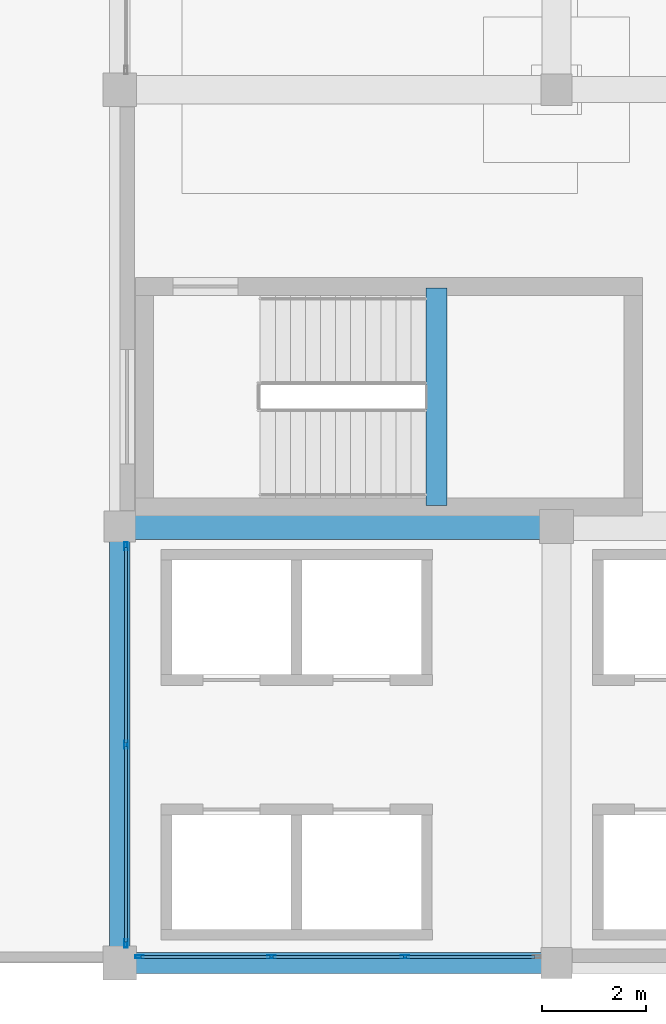
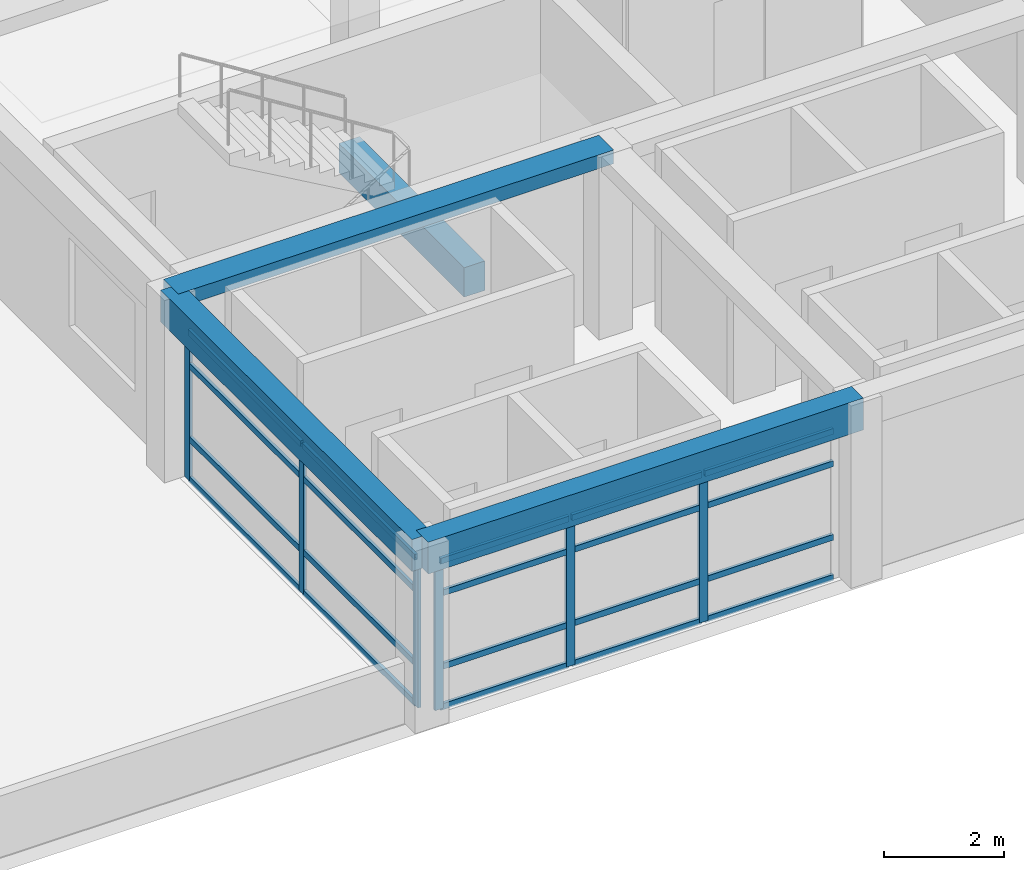
# One storey, part 2 of 26: 26 members, 4 beams, 2 elements without a shape of their own.
"""IFC4 building model written with IfcOpenShell, lengths in metres."""

import ifcopenshell
import ifcopenshell.guid

model = None  # the IFC model being written
_history = None  # IfcOwnerHistory: only IFC2X3 demands one
_inside = {}  # id of a spatial element -> (the spatial element, [elements in it])
_under = {}  # id of a project, library or spatial element -> (it, [spatial elements below it])
_declared = {}  # id of a project -> (the project, [libraries it declares])
_typed = {}  # id of a type object -> (the type object, [elements of that type])
_made_of = {}  # id of a material, layer set ... -> (it, [elements and type objects made of it])


def new_model(schema):
    """Start an empty IFC model of exactly this schema.

    Asked for "IFC4X3", IfcOpenShell would pick the latest addendum, in which some entities
    have other attributes; the version numbers below select the first issue.
    IFC2X3 requires an IfcOwnerHistory on every rooted entity: one is made here for all.
    """
    global model, _history
    if schema == "IFC4X3":
        model = ifcopenshell.file(schema_version=(4, 3, 0, 0))
    else:
        model = ifcopenshell.file(schema=schema)
    _inside.clear()
    _under.clear()
    _declared.clear()
    _typed.clear()
    _made_of.clear()
    _history = None
    if model.schema == "IFC2X3":
        org = make("IfcOrganization", Name="unknown")
        user = make(
            "IfcPersonAndOrganization",
            ThePerson=make("IfcPerson", FamilyName="unknown"),
            TheOrganization=org,
        )
        app = make(
            "IfcApplication",
            ApplicationDeveloper=org,
            Version="unknown",
            ApplicationFullName="unknown",
            ApplicationIdentifier="unknown",
        )
        _history = make(
            "IfcOwnerHistory",
            OwningUser=user,
            OwningApplication=app,
            ChangeAction="ADDED",
            CreationDate=0,
        )
    return model


def make(cls, **values):
    """One entity of the class cls with the attributes given. An attribute that is None is left unset."""
    return model.create_entity(
        cls, **{name: value for name, value in values.items() if value is not None}
    )


def rooted(cls, **values):
    """An entity with a GlobalId (a new one), such as an element, a storey or a relation."""
    return make(cls, GlobalId=ifcopenshell.guid.new(), OwnerHistory=_history, **values)


def si_unit(unit_type, name, prefix=None):
    """IfcSIUnit, for example si_unit("LENGTHUNIT", "METRE", prefix="MILLI")."""
    return make("IfcSIUnit", UnitType=unit_type, Prefix=prefix, Name=name)


def assignment(units):
    """IfcUnitAssignment: the units of a project."""
    return None if units is None else make("IfcUnitAssignment", Units=units)


def point(xyz):
    """IfcCartesianPoint."""
    return None if xyz is None else make("IfcCartesianPoint", Coordinates=xyz)


def direction(xyz):
    """IfcDirection."""
    return None if xyz is None else make("IfcDirection", DirectionRatios=xyz)


def frame(location, z_axis=None, x_axis=None):
    """IfcAxis2Placement3D, a coordinate frame: its origin and axes. An axis left out is left unset."""
    return make(
        "IfcAxis2Placement3D",
        Location=point(location),
        Axis=direction(z_axis),
        RefDirection=direction(x_axis),
    )


def frame_2d(location, x_axis=None):
    """IfcAxis2Placement2D, a coordinate frame in the plane: its origin and x axis."""
    return make(
        "IfcAxis2Placement2D", Location=point(location), RefDirection=direction(x_axis)
    )


def origin():
    """The frame at (0, 0, 0) with its axes left unset."""
    return frame((0.0, 0.0, 0.0))


def origin_2d():
    """The frame at (0, 0) in the plane with its x axis left unset."""
    return frame_2d((0.0, 0.0))


def place(relative_to, where):
    """IfcLocalPlacement: puts the frame where relative to a parent placement (None: the world)."""
    return make(
        "IfcLocalPlacement", PlacementRelTo=relative_to, RelativePlacement=where
    )


def context(
    kind, dimensions, precision=None, world=None, true_north=None, identifier=None
):
    """IfcGeometricRepresentationContext, for example the 3D "Model" context."""
    return make(
        "IfcGeometricRepresentationContext",
        ContextIdentifier=identifier,
        ContextType=kind,
        CoordinateSpaceDimension=dimensions,
        Precision=precision,
        WorldCoordinateSystem=world,
        TrueNorth=true_north,
    )


def subcontext(parent, identifier, kind, view, scale=None):
    """IfcGeometricRepresentationSubContext, for example "Body" below "Model"."""
    return make(
        "IfcGeometricRepresentationSubContext",
        ContextIdentifier=identifier,
        ContextType=kind,
        ParentContext=parent,
        TargetScale=scale,
        TargetView=view,
    )


def project(units=None, contexts=None):
    """IfcProject with its units and contexts."""
    return rooted(
        "IfcProject",
        Name="project",
        RepresentationContexts=contexts,
        UnitsInContext=assignment(units),
    )


def spatial(cls, under=None, at=None, **own):
    """A site, building, storey or space (cls), placed at a placement, below another one or the project."""
    s = rooted(cls, ObjectPlacement=at, **own)
    if under is not None:
        _under.setdefault(under.id(), (under, []))[1].append(s)
    return s


def profile(cls, at=None, kind="AREA", **sizes):
    """A parametric profile (cls). Its sizes go by their IFC names, for example OverallWidth=200.0."""
    return make(cls, ProfileType=kind, Position=at, **sizes)


def rectangle(**sizes):
    """IfcRectangleProfileDef."""
    return profile("IfcRectangleProfileDef", **sizes)


def hollow_rectangle(**sizes):
    """IfcRectangleHollowProfileDef."""
    return profile("IfcRectangleHollowProfileDef", **sizes)


def extrude(swept, where, along, depth):
    """IfcExtrudedAreaSolid: the profile swept, set in the frame where, extruded along a direction by depth."""
    return make(
        "IfcExtrudedAreaSolid",
        SweptArea=swept,
        Position=where,
        ExtrudedDirection=direction(along),
        Depth=depth,
    )


def shape(context_of_items, identifier, shape_type, items):
    """IfcShapeRepresentation: the items that make up one representation, for example the "Body"."""
    return make(
        "IfcShapeRepresentation",
        ContextOfItems=context_of_items,
        RepresentationIdentifier=identifier,
        RepresentationType=shape_type,
        Items=items,
    )


def material(Name=None, Category=None):
    """IfcMaterial."""
    return make("IfcMaterial", Name=Name, Category=Category)


def material_profile(
    of_material, cross_section, Name=None, Category=None, Priority=None
):
    """IfcMaterialProfile: a cross section and its material."""
    return make(
        "IfcMaterialProfile",
        Name=Name,
        Material=of_material,
        Profile=cross_section,
        Priority=Priority,
        Category=Category,
    )


def profile_set(profiles, Name=None, composite=None):
    """IfcMaterialProfileSet."""
    return make(
        "IfcMaterialProfileSet",
        Name=Name,
        MaterialProfiles=profiles,
        CompositeProfile=composite,
    )


def made_of(thing, what):
    """Note that an element or type object is made of a material, layer set ...; save() writes the relation."""
    if what is not None:
        _made_of.setdefault(what.id(), (what, []))[1].append(thing)
    return thing


def type_object(cls, material=None, **own):
    """A type object (cls), such as IfcWallType, which elements share."""
    return made_of(rooted(cls, **own), material)


def element(
    cls,
    number,
    at=None,
    inside=None,
    cuts=None,
    type_object=None,
    material=None,
    context=None,
    identifier="Body",
    shape_type=None,
    held_by="IfcProductDefinitionShape",
    body=None,
    shapes=None,
    **own,
):
    """One element of the class cls, such as IfcWall. Its Tag is "e" and its number.

    at: its placement. inside: the storey or other place that contains it. cuts: it is an
    opening in that element (IfcRelVoidsElement). A single representation is given by context,
    identifier, shape_type and body (its items); several are given by shapes. held_by: the class
    of the entity that holds the representations. save() writes the other relations.
    """
    e = rooted(cls, Tag="e%d" % number, ObjectPlacement=at, **own)
    if body is not None:
        shapes = [shape(context, identifier, shape_type, body)]
    if shapes is not None:
        e.Representation = make(held_by, Representations=shapes)
    if inside is not None:
        _inside.setdefault(inside.id(), (inside, []))[1].append(e)
    if cuts is not None:
        rooted(
            "IfcRelVoidsElement", RelatingBuildingElement=cuts, RelatedOpeningElement=e
        )
    if type_object is not None:
        _typed.setdefault(type_object.id(), (type_object, []))[1].append(e)
    return made_of(e, material)


def aggregate(whole, parts):
    """IfcRelAggregates: a whole, such as a stair, and the parts it consists of."""
    return rooted("IfcRelAggregates", RelatingObject=whole, RelatedObjects=parts)


def save(model, path):
    """Write the relations noted so far, then the file.

    IfcRelAggregates (storeys below a building ...), IfcRelContainedInSpatialStructure (elements
    in a storey), IfcRelDefinesByType, IfcRelAssociatesMaterial and IfcRelDeclares: one each for
    every whole, place, type object, material and project.
    """
    for whole, parts in _under.values():
        aggregate(whole, parts)
    for where, things in _inside.values():
        rooted(
            "IfcRelContainedInSpatialStructure",
            RelatedElements=things,
            RelatingStructure=where,
        )
    for kind, things in _typed.values():
        rooted("IfcRelDefinesByType", RelatedObjects=things, RelatingType=kind)
    for what, things in _made_of.values():
        rooted("IfcRelAssociatesMaterial", RelatedObjects=things, RelatingMaterial=what)
    for by, libraries in _declared.values():
        rooted("IfcRelDeclares", RelatingContext=by, RelatedDefinitions=libraries)
    model.write(path)


model = new_model("IFC4")

# Units and contexts
model_context = context("Model", 3, precision=1e-05, world=origin(), true_north=direction((0.0, 1.0)))
body_context = subcontext(model_context, "Body", "Model", "MODEL_VIEW")
ifc_project = project(units=[si_unit("LENGTHUNIT", "METRE"), si_unit("AREAUNIT", "SQUARE_METRE"), si_unit("VOLUMEUNIT", "CUBIC_METRE"), si_unit("PLANEANGLEUNIT", "RADIAN"), si_unit("MASSUNIT", "GRAM", prefix="KILO")], contexts=[model_context])

# Site, building, storey
site_placement = place(None, origin())
site = spatial("IfcSite", under=ifc_project, at=site_placement, CompositionType="ELEMENT")
building_placement = place(site_placement, origin())
building = spatial("IfcBuilding", under=site, at=building_placement, Name="Almacenes y Pasaje Nevantli", CompositionType="ELEMENT")
storey_placement = place(building_placement, frame((0.0, 0.0, 42.699951171875)))
storey = spatial("IfcBuildingStorey", under=building, at=storey_placement, Name="L10", CompositionType="ELEMENT", Elevation=42.699951171875)

# Beams
ifc_material_1 = material(Name="Concrete C35/45", Category="concrete")
ifc_material_profile_1 = material_profile(ifc_material_1, rectangle(XDim=0.39990234375, YDim=0.60009765625, at=origin_2d()), Name="RC-BM-400x600")
ifc_profile_set_1 = profile_set([ifc_material_profile_1], Name="Concrete C35/45")
beam_type_1 = type_object("IfcBeamType", Name="BM-RC-400x600", PredefinedType="SPANDREL", material=ifc_profile_set_1)
beam_1_placement = place(storey_placement, frame((123.68994140625, 76.0, 1.5), z_axis=(0.0, 1.0, 0.0), x_axis=(-1.0, 0.0, 0.0)))
element("IfcBeam", 1, at=beam_1_placement, inside=storey, type_object=beam_type_1, Name="L10 Stair ST-01 Half-Landing Support Beam", PredefinedType="SPANDREL", context=body_context, shape_type="SweptSolid", body=[
    extrude(rectangle(XDim=0.39990234375, YDim=0.60009765625, at=origin_2d()), origin(), (0.0, 0.0, 1.0), 4.18994140625),
])
ifc_material_2 = material(Name="Concrete C35/45", Category="concrete")
ifc_material_profile_2 = material_profile(ifc_material_2, rectangle(XDim=0.39990234375, YDim=0.64990234375, at=origin_2d()), Name="RC-BM-400x650")
ifc_profile_set_2 = profile_set([ifc_material_profile_2], Name="Concrete C35/45")
beam_type_2 = type_object("IfcBeamType", Name="BM-RC-400x650", PredefinedType="SPANDREL", material=ifc_profile_set_2)
beam_2_placement = place(storey_placement, frame((117.60009765625, 67.199951171875, 3.39501953125), z_axis=(1.0, 0.0, 0.0), x_axis=(0.0, 1.0, 0.0)))
element("IfcBeam", 2, at=beam_2_placement, inside=storey, type_object=beam_type_2, Name="L10 East-West Reinforced Concrete Beam #3797", PredefinedType="SPANDREL", context=body_context, shape_type="SweptSolid", body=[
    extrude(rectangle(XDim=0.39990234375, YDim=0.64990234375, at=origin_2d()), origin(), (0.0, 0.0, 1.0), 8.39990234375),
])
beam_3_placement = place(storey_placement, frame((117.60009765625, 67.199951171875, 3.39501953125), z_axis=(0.0, 1.0, 0.0), x_axis=(-1.0, 0.0, 0.0)))
element("IfcBeam", 3, at=beam_3_placement, inside=storey, type_object=beam_type_2, Name="L10 North-South Reinforced Concrete Beam #3822", PredefinedType="SPANDREL", context=body_context, shape_type="SweptSolid", body=[
    extrude(rectangle(XDim=0.39990234375, YDim=0.64990234375, at=origin_2d()), origin(), (0.0, 0.0, 1.0), 8.400146484375),
])
ifc_material_3 = material(Name="Concrete C35/45", Category="concrete")
ifc_material_profile_3 = material_profile(ifc_material_3, rectangle(XDim=0.5, YDim=0.280029296875, at=origin_2d()), Name="RC-BM-500x280")
ifc_profile_set_3 = profile_set([ifc_material_profile_3], Name="Concrete C35/45")
beam_type_3 = type_object("IfcBeamType", Name="BM-RC-500x280", PredefinedType="BEAM", material=ifc_profile_set_3)
beam_4_placement = place(storey_placement, frame((117.60009765625, 75.60009765625, 3.580078125), z_axis=(1.0, 0.0, 0.0), x_axis=(0.0, 1.0, 0.0)))
element("IfcBeam", 4, at=beam_4_placement, inside=storey, type_object=beam_type_3, Name="L10 East-West Reinforced Concrete Beam #3802", PredefinedType="BEAM", context=body_context, shape_type="SweptSolid", body=[
    extrude(rectangle(XDim=0.5, YDim=0.280029296875, at=origin_2d()), origin(), (0.0, 0.0, 1.0), 8.39990234375),
])

# Curtain wall, members
ifc_material_4 = material(Name="Thermally Broken Aluminium and Low-E Glass", Category="aluminium")
curtain_wall_type = type_object("IfcCurtainWallType", Name="CW-UNIT-TOWER", PredefinedType="USERDEFINED", material=ifc_material_4)
curtain_wall_1_placement = place(storey_placement, origin())
curtain_wall_1 = element("IfcCurtainWall", 5, at=curtain_wall_1_placement, inside=storey, type_object=curtain_wall_type, Name="L10 Tower South Unitized Curtain Wall Bay 15", ObjectType="UNITIZED CURTAIN WALL", PredefinedType="USERDEFINED")
ifc_material_5 = material(Name="Thermally Broken Anodized Aluminium", Category="aluminium")
ifc_material_profile_4 = material_profile(ifc_material_5, hollow_rectangle(XDim=0.06005859375, YDim=0.159912109375, WallThickness=0.00390625, at=origin_2d()), Name="ALU-MUL-60x160")
ifc_profile_set_4 = profile_set([ifc_material_profile_4], Name="Thermally Broken Anodized Aluminium")
member_type_1 = type_object("IfcMemberType", Name="CW-MUL-180", PredefinedType="MULLION", material=ifc_profile_set_4)
member_1_placement = place(storey_placement, frame((117.97998046875, 67.320068359375, 0.0), z_axis=(0.0, 0.0, 1.0), x_axis=(0.0, 1.0, 0.0)))
member_1 = element("IfcMember", 6, at=member_1_placement, type_object=member_type_1, Name="CW-L10-141 mullion 1", PredefinedType="MULLION", context=body_context, shape_type="SweptSolid", body=[
    extrude(hollow_rectangle(XDim=0.06005859375, YDim=0.159912109375, WallThickness=0.00390625, at=origin_2d()), origin(), (0.0, 0.0, 1.0), 3.0400390625),
])
member_2_placement = place(storey_placement, frame((120.5166015625, 67.320068359375, 0.0), z_axis=(0.0, 0.0, 1.0), x_axis=(0.0, 1.0, 0.0)))
member_2 = element("IfcMember", 7, at=member_2_placement, type_object=member_type_1, Name="CW-L10-141 mullion 2", PredefinedType="MULLION", context=body_context, shape_type="SweptSolid", body=[
    extrude(hollow_rectangle(XDim=0.06005859375, YDim=0.159912109375, WallThickness=0.00390625, at=origin_2d()), origin(), (0.0, 0.0, 1.0), 3.0400390625),
])
member_3_placement = place(storey_placement, frame((123.083251953125, 67.320068359375, 0.0), z_axis=(0.0, 0.0, 1.0), x_axis=(0.0, 1.0, 0.0)))
member_3 = element("IfcMember", 8, at=member_3_placement, type_object=member_type_1, Name="CW-L10-141 mullion 3", PredefinedType="MULLION", context=body_context, shape_type="SweptSolid", body=[
    extrude(hollow_rectangle(XDim=0.06005859375, YDim=0.159912109375, WallThickness=0.00390625, at=origin_2d()), origin(), (0.0, 0.0, 1.0), 3.0400390625),
])

curtain_wall_2_placement = place(storey_placement, origin())
curtain_wall_2 = element("IfcCurtainWall", 9, at=curtain_wall_2_placement, inside=storey, type_object=curtain_wall_type, Name="L10 Tower West Curtain Wall Bay 9", ObjectType="UNITIZED CURTAIN WALL", PredefinedType="USERDEFINED")
member_4_placement = place(storey_placement, frame((117.719970703125, 67.580078125, 0.0), z_axis=(0.0, 0.0, 1.0), x_axis=(-1.0, 0.0, 0.0)))
member_4 = element("IfcMember", 10, at=member_4_placement, type_object=member_type_1, Name="CW-L10-146 mullion 1", PredefinedType="MULLION", context=body_context, shape_type="SweptSolid", body=[
    extrude(hollow_rectangle(XDim=0.06005859375, YDim=0.159912109375, WallThickness=0.00390625, at=origin_2d()), origin(), (0.0, 0.0, 1.0), 3.0400390625),
])
member_5_placement = place(storey_placement, frame((117.719970703125, 71.39990234375, 0.0), z_axis=(0.0, 0.0, 1.0), x_axis=(-1.0, 0.0, 0.0)))
member_5 = element("IfcMember", 11, at=member_5_placement, type_object=member_type_1, Name="CW-L10-146 mullion 2", PredefinedType="MULLION", context=body_context, shape_type="SweptSolid", body=[
    extrude(hollow_rectangle(XDim=0.06005859375, YDim=0.159912109375, WallThickness=0.00390625, at=origin_2d()), origin(), (0.0, 0.0, 1.0), 3.0400390625),
])
member_6_placement = place(storey_placement, frame((117.719970703125, 75.219970703125, 0.0), z_axis=(0.0, 0.0, 1.0), x_axis=(-1.0, 0.0, 0.0)))
member_6 = element("IfcMember", 12, at=member_6_placement, type_object=member_type_1, Name="CW-L10-146 mullion 3", PredefinedType="MULLION", context=body_context, shape_type="SweptSolid", body=[
    extrude(hollow_rectangle(XDim=0.06005859375, YDim=0.159912109375, WallThickness=0.00390625, at=origin_2d()), origin(), (0.0, 0.0, 1.0), 3.0400390625),
])

# Member
ifc_material_6 = material(Name="Thermally Broken Anodized Aluminium", Category="aluminium")
ifc_material_profile_5 = material_profile(ifc_material_6, hollow_rectangle(XDim=0.06005859375, YDim=0.1201171875, WallThickness=0.00341796875, at=origin_2d()), Name="ALU-TRN-60x120")
ifc_profile_set_5 = profile_set([ifc_material_profile_5], Name="Thermally Broken Anodized Aluminium")
member_type_2 = type_object("IfcMemberType", Name="CW-TRN-130", PredefinedType="USERDEFINED", material=ifc_profile_set_5)
member_7_placement = place(storey_placement, frame((118.010009765625, 67.320068359375, 0.030029296875), z_axis=(1.0, 0.0, 0.0), x_axis=(0.0, 1.0, 0.0)))
member_7 = element("IfcMember", 13, at=member_7_placement, type_object=member_type_2, Name="CW-L10-141 transom 1.1", ObjectType="TRANSOM", PredefinedType="USERDEFINED", context=body_context, shape_type="SweptSolid", body=[
    extrude(hollow_rectangle(XDim=0.06005859375, YDim=0.1201171875, WallThickness=0.00341796875, at=origin_2d()), origin(), (0.0, 0.0, 1.0), 2.4765625),
])

member_8_placement = place(storey_placement, frame((118.010009765625, 67.320068359375, 0.85009765625), z_axis=(1.0, 0.0, 0.0), x_axis=(0.0, 1.0, 0.0)))
member_8 = element("IfcMember", 14, at=member_8_placement, type_object=member_type_2, Name="CW-L10-141 transom 1.2", ObjectType="TRANSOM", PredefinedType="USERDEFINED", context=body_context, shape_type="SweptSolid", body=[
    extrude(hollow_rectangle(XDim=0.06005859375, YDim=0.1201171875, WallThickness=0.00341796875, at=origin_2d()), origin(), (0.0, 0.0, 1.0), 2.4765625),
])

member_9_placement = place(storey_placement, frame((118.010009765625, 67.320068359375, 2.35009765625), z_axis=(1.0, 0.0, 0.0), x_axis=(0.0, 1.0, 0.0)))
member_9 = element("IfcMember", 15, at=member_9_placement, type_object=member_type_2, Name="CW-L10-141 transom 1.3", ObjectType="TRANSOM", PredefinedType="USERDEFINED", context=body_context, shape_type="SweptSolid", body=[
    extrude(hollow_rectangle(XDim=0.06005859375, YDim=0.1201171875, WallThickness=0.00341796875, at=origin_2d()), origin(), (0.0, 0.0, 1.0), 2.4765625),
])

member_10_placement = place(storey_placement, frame((118.010009765625, 67.320068359375, 3.010009765625), z_axis=(1.0, 0.0, 0.0), x_axis=(0.0, 1.0, 0.0)))
member_10 = element("IfcMember", 16, at=member_10_placement, type_object=member_type_2, Name="CW-L10-141 transom 1.4", ObjectType="TRANSOM", PredefinedType="USERDEFINED", context=body_context, shape_type="SweptSolid", body=[
    extrude(hollow_rectangle(XDim=0.06005859375, YDim=0.1201171875, WallThickness=0.00341796875, at=origin_2d()), origin(), (0.0, 0.0, 1.0), 2.4765625),
])

member_11_placement = place(storey_placement, frame((120.546630859375, 67.320068359375, 0.030029296875), z_axis=(1.0, 0.0, 0.0), x_axis=(0.0, 1.0, 0.0)))
member_11 = element("IfcMember", 17, at=member_11_placement, type_object=member_type_2, Name="CW-L10-141 transom 2.1", ObjectType="TRANSOM", PredefinedType="USERDEFINED", context=body_context, shape_type="SweptSolid", body=[
    extrude(hollow_rectangle(XDim=0.06005859375, YDim=0.1201171875, WallThickness=0.00341796875, at=origin_2d()), origin(), (0.0, 0.0, 1.0), 2.506591796875),
])

member_12_placement = place(storey_placement, frame((120.546630859375, 67.320068359375, 0.85009765625), z_axis=(1.0, 0.0, 0.0), x_axis=(0.0, 1.0, 0.0)))
member_12 = element("IfcMember", 18, at=member_12_placement, type_object=member_type_2, Name="CW-L10-141 transom 2.2", ObjectType="TRANSOM", PredefinedType="USERDEFINED", context=body_context, shape_type="SweptSolid", body=[
    extrude(hollow_rectangle(XDim=0.06005859375, YDim=0.1201171875, WallThickness=0.00341796875, at=origin_2d()), origin(), (0.0, 0.0, 1.0), 2.506591796875),
])

member_13_placement = place(storey_placement, frame((120.546630859375, 67.320068359375, 2.35009765625), z_axis=(1.0, 0.0, 0.0), x_axis=(0.0, 1.0, 0.0)))
member_13 = element("IfcMember", 19, at=member_13_placement, type_object=member_type_2, Name="CW-L10-141 transom 2.3", ObjectType="TRANSOM", PredefinedType="USERDEFINED", context=body_context, shape_type="SweptSolid", body=[
    extrude(hollow_rectangle(XDim=0.06005859375, YDim=0.1201171875, WallThickness=0.00341796875, at=origin_2d()), origin(), (0.0, 0.0, 1.0), 2.506591796875),
])

member_14_placement = place(storey_placement, frame((120.546630859375, 67.320068359375, 3.010009765625), z_axis=(1.0, 0.0, 0.0), x_axis=(0.0, 1.0, 0.0)))
member_14 = element("IfcMember", 20, at=member_14_placement, type_object=member_type_2, Name="CW-L10-141 transom 2.4", ObjectType="TRANSOM", PredefinedType="USERDEFINED", context=body_context, shape_type="SweptSolid", body=[
    extrude(hollow_rectangle(XDim=0.06005859375, YDim=0.1201171875, WallThickness=0.00341796875, at=origin_2d()), origin(), (0.0, 0.0, 1.0), 2.506591796875),
])

member_15_placement = place(storey_placement, frame((123.11328125, 67.320068359375, 0.030029296875), z_axis=(1.0, 0.0, 0.0), x_axis=(0.0, 1.0, 0.0)))
member_15 = element("IfcMember", 21, at=member_15_placement, type_object=member_type_2, Name="CW-L10-141 transom 3.1", ObjectType="TRANSOM", PredefinedType="USERDEFINED", context=body_context, shape_type="SweptSolid", body=[
    extrude(hollow_rectangle(XDim=0.06005859375, YDim=0.1201171875, WallThickness=0.00341796875, at=origin_2d()), origin(), (0.0, 0.0, 1.0), 2.476806640625),
])

member_16_placement = place(storey_placement, frame((123.11328125, 67.320068359375, 0.85009765625), z_axis=(1.0, 0.0, 0.0), x_axis=(0.0, 1.0, 0.0)))
member_16 = element("IfcMember", 22, at=member_16_placement, type_object=member_type_2, Name="CW-L10-141 transom 3.2", ObjectType="TRANSOM", PredefinedType="USERDEFINED", context=body_context, shape_type="SweptSolid", body=[
    extrude(hollow_rectangle(XDim=0.06005859375, YDim=0.1201171875, WallThickness=0.00341796875, at=origin_2d()), origin(), (0.0, 0.0, 1.0), 2.476806640625),
])

member_17_placement = place(storey_placement, frame((123.11328125, 67.320068359375, 2.35009765625), z_axis=(1.0, 0.0, 0.0), x_axis=(0.0, 1.0, 0.0)))
member_17 = element("IfcMember", 23, at=member_17_placement, type_object=member_type_2, Name="CW-L10-141 transom 3.3", ObjectType="TRANSOM", PredefinedType="USERDEFINED", context=body_context, shape_type="SweptSolid", body=[
    extrude(hollow_rectangle(XDim=0.06005859375, YDim=0.1201171875, WallThickness=0.00341796875, at=origin_2d()), origin(), (0.0, 0.0, 1.0), 2.476806640625),
])

member_18_placement = place(storey_placement, frame((123.11328125, 67.320068359375, 3.010009765625), z_axis=(1.0, 0.0, 0.0), x_axis=(0.0, 1.0, 0.0)))
member_18 = element("IfcMember", 24, at=member_18_placement, type_object=member_type_2, Name="CW-L10-141 transom 3.4", ObjectType="TRANSOM", PredefinedType="USERDEFINED", context=body_context, shape_type="SweptSolid", body=[
    extrude(hollow_rectangle(XDim=0.06005859375, YDim=0.1201171875, WallThickness=0.00341796875, at=origin_2d()), origin(), (0.0, 0.0, 1.0), 2.476806640625),
])

aggregate(curtain_wall_1, [member_1, member_2, member_3, member_7, member_8, member_9, member_10, member_11, member_12, member_13, member_14, member_15, member_16, member_17, member_18])

member_19_placement = place(storey_placement, frame((117.719970703125, 67.610107421875, 0.030029296875), z_axis=(0.0, 1.0, 0.0), x_axis=(-1.0, 0.0, 0.0)))
member_19 = element("IfcMember", 25, at=member_19_placement, type_object=member_type_2, Name="CW-L10-146 transom 1.1", ObjectType="TRANSOM", PredefinedType="USERDEFINED", context=body_context, shape_type="SweptSolid", body=[
    extrude(hollow_rectangle(XDim=0.06005859375, YDim=0.1201171875, WallThickness=0.00341796875, at=origin_2d()), origin(), (0.0, 0.0, 1.0), 3.760009765625),
])

member_20_placement = place(storey_placement, frame((117.719970703125, 67.610107421875, 0.85009765625), z_axis=(0.0, 1.0, 0.0), x_axis=(-1.0, 0.0, 0.0)))
member_20 = element("IfcMember", 26, at=member_20_placement, type_object=member_type_2, Name="CW-L10-146 transom 1.2", ObjectType="TRANSOM", PredefinedType="USERDEFINED", context=body_context, shape_type="SweptSolid", body=[
    extrude(hollow_rectangle(XDim=0.06005859375, YDim=0.1201171875, WallThickness=0.00341796875, at=origin_2d()), origin(), (0.0, 0.0, 1.0), 3.760009765625),
])

member_21_placement = place(storey_placement, frame((117.719970703125, 67.610107421875, 2.35009765625), z_axis=(0.0, 1.0, 0.0), x_axis=(-1.0, 0.0, 0.0)))
member_21 = element("IfcMember", 27, at=member_21_placement, type_object=member_type_2, Name="CW-L10-146 transom 1.3", ObjectType="TRANSOM", PredefinedType="USERDEFINED", context=body_context, shape_type="SweptSolid", body=[
    extrude(hollow_rectangle(XDim=0.06005859375, YDim=0.1201171875, WallThickness=0.00341796875, at=origin_2d()), origin(), (0.0, 0.0, 1.0), 3.760009765625),
])

member_22_placement = place(storey_placement, frame((117.719970703125, 67.610107421875, 3.010009765625), z_axis=(0.0, 1.0, 0.0), x_axis=(-1.0, 0.0, 0.0)))
member_22 = element("IfcMember", 28, at=member_22_placement, type_object=member_type_2, Name="CW-L10-146 transom 1.4", ObjectType="TRANSOM", PredefinedType="USERDEFINED", context=body_context, shape_type="SweptSolid", body=[
    extrude(hollow_rectangle(XDim=0.06005859375, YDim=0.1201171875, WallThickness=0.00341796875, at=origin_2d()), origin(), (0.0, 0.0, 1.0), 3.760009765625),
])

member_23_placement = place(storey_placement, frame((117.719970703125, 71.429931640625, 0.030029296875), z_axis=(0.0, 1.0, 0.0), x_axis=(-1.0, 0.0, 0.0)))
member_23 = element("IfcMember", 29, at=member_23_placement, type_object=member_type_2, Name="CW-L10-146 transom 2.1", ObjectType="TRANSOM", PredefinedType="USERDEFINED", context=body_context, shape_type="SweptSolid", body=[
    extrude(hollow_rectangle(XDim=0.06005859375, YDim=0.1201171875, WallThickness=0.00341796875, at=origin_2d()), origin(), (0.0, 0.0, 1.0), 3.760009765625),
])

member_24_placement = place(storey_placement, frame((117.719970703125, 71.429931640625, 0.85009765625), z_axis=(0.0, 1.0, 0.0), x_axis=(-1.0, 0.0, 0.0)))
member_24 = element("IfcMember", 30, at=member_24_placement, type_object=member_type_2, Name="CW-L10-146 transom 2.2", ObjectType="TRANSOM", PredefinedType="USERDEFINED", context=body_context, shape_type="SweptSolid", body=[
    extrude(hollow_rectangle(XDim=0.06005859375, YDim=0.1201171875, WallThickness=0.00341796875, at=origin_2d()), origin(), (0.0, 0.0, 1.0), 3.760009765625),
])

member_25_placement = place(storey_placement, frame((117.719970703125, 71.429931640625, 2.35009765625), z_axis=(0.0, 1.0, 0.0), x_axis=(-1.0, 0.0, 0.0)))
member_25 = element("IfcMember", 31, at=member_25_placement, type_object=member_type_2, Name="CW-L10-146 transom 2.3", ObjectType="TRANSOM", PredefinedType="USERDEFINED", context=body_context, shape_type="SweptSolid", body=[
    extrude(hollow_rectangle(XDim=0.06005859375, YDim=0.1201171875, WallThickness=0.00341796875, at=origin_2d()), origin(), (0.0, 0.0, 1.0), 3.760009765625),
])

member_26_placement = place(storey_placement, frame((117.719970703125, 71.429931640625, 3.010009765625), z_axis=(0.0, 1.0, 0.0), x_axis=(-1.0, 0.0, 0.0)))
member_26 = element("IfcMember", 32, at=member_26_placement, type_object=member_type_2, Name="CW-L10-146 transom 2.4", ObjectType="TRANSOM", PredefinedType="USERDEFINED", context=body_context, shape_type="SweptSolid", body=[
    extrude(hollow_rectangle(XDim=0.06005859375, YDim=0.1201171875, WallThickness=0.00341796875, at=origin_2d()), origin(), (0.0, 0.0, 1.0), 3.760009765625),
])

aggregate(curtain_wall_2, [member_4, member_5, member_6, member_19, member_20, member_21, member_22, member_23, member_24, member_25, member_26])

save(model, "model.ifc")
